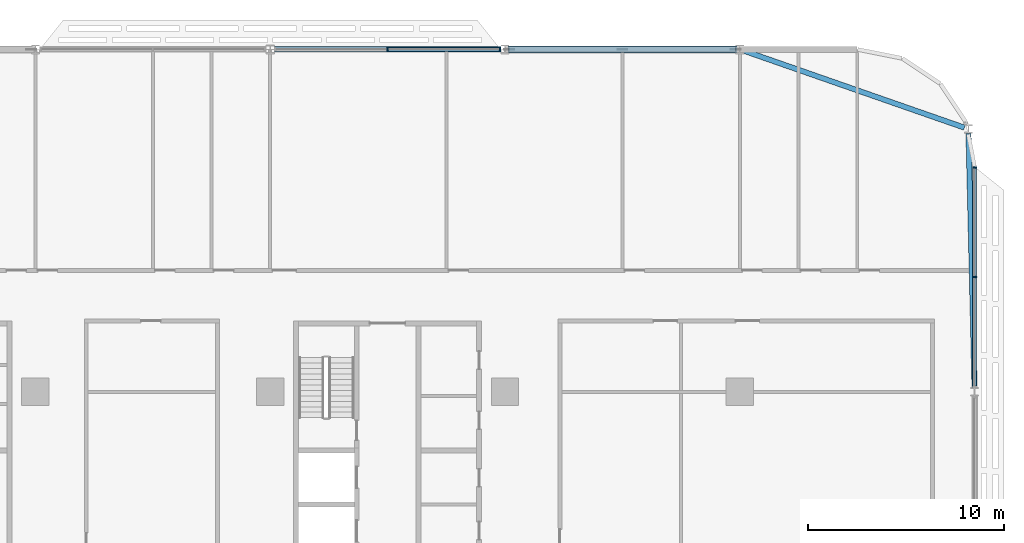
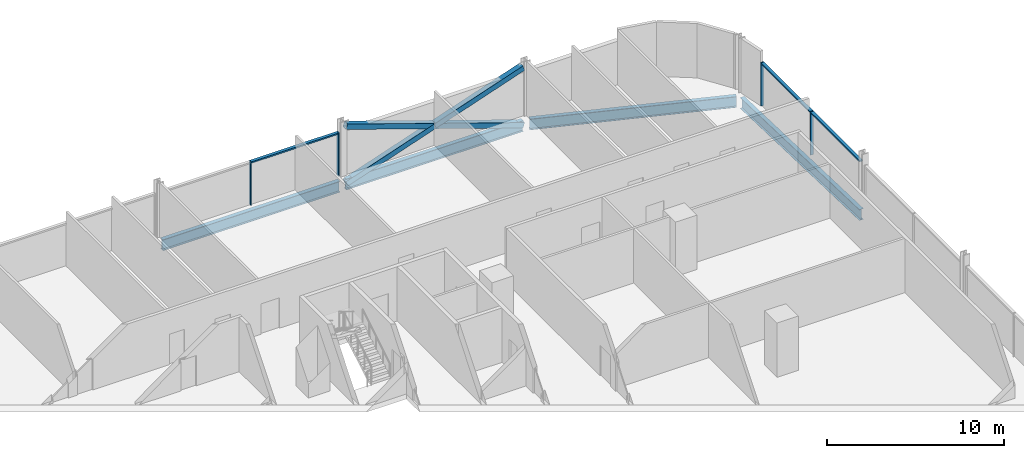
# One storey, part 10 of 29: 10 members, 4 beams, 2 elements without a shape of their own.
"""IFC4 building model written with IfcOpenShell, lengths in metres."""

from ifc_helpers import new_model, si_unit, direction, frame, origin, origin_2d, place, context, subcontext, project, spatial, rectangle, hollow_rectangle, i_section, extrude, material, material_profile, profile_set, type_object, element, aggregate, save


model = new_model("IFC4")

# Units and contexts
model_context = context("Model", 3, precision=1e-05, world=origin(), true_north=direction((0.0, 1.0)))
body_context = subcontext(model_context, "Body", "Model", "MODEL_VIEW")
ifc_project = project(units=[si_unit("LENGTHUNIT", "METRE"), si_unit("AREAUNIT", "SQUARE_METRE"), si_unit("VOLUMEUNIT", "CUBIC_METRE"), si_unit("PLANEANGLEUNIT", "RADIAN"), si_unit("MASSUNIT", "GRAM", prefix="KILO")], contexts=[model_context])

# Site, building, storey
site_placement = place(None, origin())
site = spatial("IfcSite", under=ifc_project, at=site_placement, CompositionType="ELEMENT")
building_placement = place(site_placement, origin())
building = spatial("IfcBuilding", under=site, at=building_placement, Name="Mahtab Terrace Research Tower", CompositionType="ELEMENT")
storey_placement = place(building_placement, frame((0.0, 0.0, 109.39990234375)))
storey = spatial("IfcBuildingStorey", under=building, at=storey_placement, Name="L25", CompositionType="ELEMENT", Elevation=109.39990234375)

# Members
ifc_material_1 = material(Name="Steel ASTM A500 Gr C", Category="steel")
ifc_material_profile_1 = material_profile(ifc_material_1, hollow_rectangle(XDim=0.355712890625, YDim=0.355712890625, WallThickness=0.01904296875, at=origin_2d()), Name="HSS14X14X3/4")
ifc_profile_set_1 = profile_set([ifc_material_profile_1], Name="Steel ASTM A500 Gr C")
member_type_1 = type_object("IfcMemberType", Name="HSS 14x14x3/4 brace XB141434", PredefinedType="BRACE", material=ifc_profile_set_1)
member_1_placement = place(storey_placement, frame((41.79052734375, 29.0, -0.646728515625), z_axis=(-0.946292853795, 0.0, 0.323310740397), x_axis=(0.0, -1.0, 0.0)))
element("IfcMember", 1, at=member_1_placement, inside=storey, type_object=member_type_1, Name="Exoskeleton brace L25 02 a", PredefinedType="BRACE", context=body_context, shape_type="SweptSolid", body=[
    extrude(hollow_rectangle(XDim=0.355712890625, YDim=0.355712890625, WallThickness=0.01904296875, at=origin_2d()), origin(), (0.0, 0.0, 1.0), 12.23828125),
])
for number, where, z_axis, x_axis, name in (
    (2, (30.20947265625, 29.0, -0.646728515625), (0.946298956945, 0.0, 0.323292876639), (0.0, 1.0, 0.0), "Exoskeleton brace L25 02 b1"),
    (3, (36.0, 29.0, 1.33154296875), (0.946286750388, 0.0, 0.323328603809), (0.0, 1.0, 0.0), "Exoskeleton brace L25 02 b2"),
):
    element("IfcMember", number, at=place(storey_placement, frame(where, z_axis=z_axis, x_axis=x_axis)), inside=storey, type_object=member_type_1, Name=name, PredefinedType="BRACE", context=body_context, shape_type="SweptSolid", body=[
        extrude(hollow_rectangle(XDim=0.355712890625, YDim=0.355712890625, WallThickness=0.01904296875, at=origin_2d()), origin(), (0.0, 0.0, 1.0), 6.119140625),
    ])

# Curtain wall, members
ifc_material_2 = material(Name="Laboratory ribbon curtain wall")
curtain_wall_type = type_object("IfcCurtainWallType", Name="Laboratory ribbon curtain wall", PredefinedType="NOTDEFINED", material=ifc_material_2)
curtain_wall_1_placement = place(storey_placement, origin())
curtain_wall_1 = element("IfcCurtainWall", 4, at=curtain_wall_1_placement, inside=storey, type_object=curtain_wall_type, Name="EN.L25.3.5", PredefinedType="NOTDEFINED")
ifc_material_3 = material(Name="Natural anodised aluminium", Category="aluminium")
ifc_material_profile_2 = material_profile(ifc_material_3, rectangle(XDim=0.199951171875, YDim=0.06494140625, at=origin_2d()), Name="MULLION 65x200")
ifc_profile_set_2 = profile_set([ifc_material_profile_2], Name="Natural anodised aluminium")
member_type_2 = type_object("IfcMemberType", Name="Laboratory ribbon curtain wall mullion", PredefinedType="MULLION", material=ifc_profile_set_2)
member_2_placement = place(storey_placement, frame((29.739501953125, 29.0, 0.0), z_axis=(0.0, 0.0, 1.0), x_axis=(0.0, -1.0, 0.0)))
member_2 = element("IfcMember", 5, at=member_2_placement, type_object=member_type_2, Name="CWL-3 mullion 1", PredefinedType="MULLION", context=body_context, shape_type="SweptSolid", body=[
    extrude(rectangle(XDim=0.199951171875, YDim=0.06494140625, at=origin_2d()), origin(), (0.0, 0.0, 1.0), 3.003173828125),
])
member_3_placement = place(storey_placement, frame((24.0, 29.0, 0.0), z_axis=(0.0, 0.0, 1.0), x_axis=(0.0, -1.0, 0.0)))
member_3 = element("IfcMember", 6, at=member_3_placement, type_object=member_type_2, Name="CWL-3 mullion 2", PredefinedType="MULLION", context=body_context, shape_type="SweptSolid", body=[
    extrude(rectangle(XDim=0.199951171875, YDim=0.06494140625, at=origin_2d()), origin(), (0.0, 0.0, 1.0), 3.003173828125),
])

curtain_wall_2_placement = place(storey_placement, origin())
curtain_wall_2 = element("IfcCurtainWall", 7, at=curtain_wall_2_placement, inside=storey, type_object=curtain_wall_type, Name="EN.L25.18.38", PredefinedType="NOTDEFINED")
member_4_placement = place(storey_placement, frame((54.0, 17.364013671875, 0.0), z_axis=(0.0, 0.0, 1.0), x_axis=(-1.0, 0.0, 0.0)))
member_4 = element("IfcMember", 8, at=member_4_placement, type_object=member_type_2, Name="CWL-3 mullion 2", PredefinedType="MULLION", context=body_context, shape_type="SweptSolid", body=[
    extrude(rectangle(XDim=0.199951171875, YDim=0.06494140625, at=origin_2d()), origin(), (0.0, 0.0, 1.0), 3.003173828125),
])
member_5_placement = place(storey_placement, frame((54.0, 22.967529296875, 0.0), z_axis=(0.0, 0.0, 1.0), x_axis=(-1.0, 0.0, 0.0)))
member_5 = element("IfcMember", 9, at=member_5_placement, type_object=member_type_2, Name="CWL-3 mullion 3", PredefinedType="MULLION", context=body_context, shape_type="SweptSolid", body=[
    extrude(rectangle(XDim=0.199951171875, YDim=0.06494140625, at=origin_2d()), origin(), (0.0, 0.0, 1.0), 3.003173828125),
])

# Member
ifc_material_profile_3 = material_profile(ifc_material_3, rectangle(XDim=0.199951171875, YDim=0.10009765625, at=origin_2d()), Name="TRANSOM 100x200")
ifc_profile_set_3 = profile_set([ifc_material_profile_3], Name="Natural anodised aluminium")
member_type_3 = type_object("IfcMemberType", Name="Laboratory ribbon curtain wall transom", PredefinedType="USERDEFINED", material=ifc_profile_set_3)
member_6_placement = place(storey_placement, frame((29.70703125, 29.0, 2.953125), z_axis=(-1.0, 0.0, 0.0), x_axis=(0.0, -1.0, 0.0)))
member_6 = element("IfcMember", 10, at=member_6_placement, type_object=member_type_3, Name="CWL-3 transom 1", ObjectType="TRANSOM", PredefinedType="USERDEFINED", context=body_context, shape_type="SweptSolid", body=[
    extrude(rectangle(XDim=0.199951171875, YDim=0.10009765625, at=origin_2d()), origin(), (0.0, 0.0, 1.0), 5.674560546875),
])

aggregate(curtain_wall_1, [member_2, member_3, member_6])

member_7_placement = place(storey_placement, frame((54.0, 11.79296875, 2.953125), z_axis=(0.0, 1.0, 0.0), x_axis=(-1.0, 0.0, 0.0)))
member_7 = element("IfcMember", 11, at=member_7_placement, type_object=member_type_3, Name="CWL-3 transom 1", ObjectType="TRANSOM", PredefinedType="USERDEFINED", context=body_context, shape_type="SweptSolid", body=[
    extrude(rectangle(XDim=0.199951171875, YDim=0.10009765625, at=origin_2d()), origin(), (0.0, 0.0, 1.0), 5.53857421875),
])

member_8_placement = place(storey_placement, frame((54.0, 17.396484375, 2.953125), z_axis=(0.0, 1.0, 0.0), x_axis=(-1.0, 0.0, 0.0)))
member_8 = element("IfcMember", 12, at=member_8_placement, type_object=member_type_3, Name="CWL-3 transom 2", ObjectType="TRANSOM", PredefinedType="USERDEFINED", context=body_context, shape_type="SweptSolid", body=[
    extrude(rectangle(XDim=0.199951171875, YDim=0.10009765625, at=origin_2d()), origin(), (0.0, 0.0, 1.0), 5.53857421875),
])

aggregate(curtain_wall_2, [member_4, member_5, member_7, member_8])

# Beams
ifc_material_4 = material(Name="Steel ASTM A992 Gr 50", Category="steel")
ifc_material_profile_4 = material_profile(ifc_material_4, i_section(OverallWidth=0.2666015625, OverallDepth=0.7568359375, WebThickness=0.013916015625, FlangeThickness=0.019287109375, at=origin_2d()), Name="W30X108")
ifc_profile_set_4 = profile_set([ifc_material_profile_4], Name="Steel ASTM A992 Gr 50")
beam_type = type_object("IfcBeamType", Name="W30x108 beam BS30108", PredefinedType="BEAM", material=ifc_profile_set_4)
beam_1_placement = place(storey_placement, frame((53.472412109375, 25.0, -0.71826171875), z_axis=(-0.944250501583, 0.32922786981, 0.0), x_axis=(-0.32922786981, -0.944250501583, 0.0)))
element("IfcBeam", 13, at=beam_1_placement, inside=storey, type_object=beam_type, Name="Spandrel beam L25 01", PredefinedType="BEAM", context=body_context, shape_type="SweptSolid", body=[
    extrude(i_section(OverallWidth=0.2666015625, OverallDepth=0.7568359375, WebThickness=0.013916015625, FlangeThickness=0.019287109375, at=origin_2d()), origin(), (0.0, 0.0, 1.0), 11.927978515625),
])
for number, where, z_axis, x_axis, name in (
    (14, (41.79052734375, 29.0, -0.71826171875), (-1.0, 0.0, 0.0), (0.0, -1.0, 0.0), "Spandrel beam L25 02"),
    (15, (29.79052734375, 29.0, -0.71826171875), (-1.0, 0.0, 0.0), (0.0, -1.0, 0.0), "Spandrel beam L25 03"),
):
    element("IfcBeam", number, at=place(storey_placement, frame(where, z_axis=z_axis, x_axis=x_axis)), inside=storey, type_object=beam_type, Name=name, PredefinedType="BEAM", context=body_context, shape_type="SweptSolid", body=[
        extrude(i_section(OverallWidth=0.2666015625, OverallDepth=0.7568359375, WebThickness=0.013916015625, FlangeThickness=0.019287109375, at=origin_2d()), origin(), (0.0, 0.0, 1.0), 11.5810546875),
    ])
beam_2_placement = place(storey_placement, frame((53.99462890625, 11.727294921875, -0.71826171875), z_axis=(-0.023668910773, 0.99971985209, 0.0), x_axis=(-0.99971985209, -0.023668910773, 0.0)))
element("IfcBeam", 16, at=beam_2_placement, inside=storey, type_object=beam_type, Name="Spandrel beam L25 22", PredefinedType="BEAM", context=body_context, shape_type="SweptSolid", body=[
    extrude(i_section(OverallWidth=0.2666015625, OverallDepth=0.7568359375, WebThickness=0.013916015625, FlangeThickness=0.019287109375, at=origin_2d()), origin(), (0.0, 0.0, 1.0), 12.97607421875),
])

save(model, "model.ifc")
